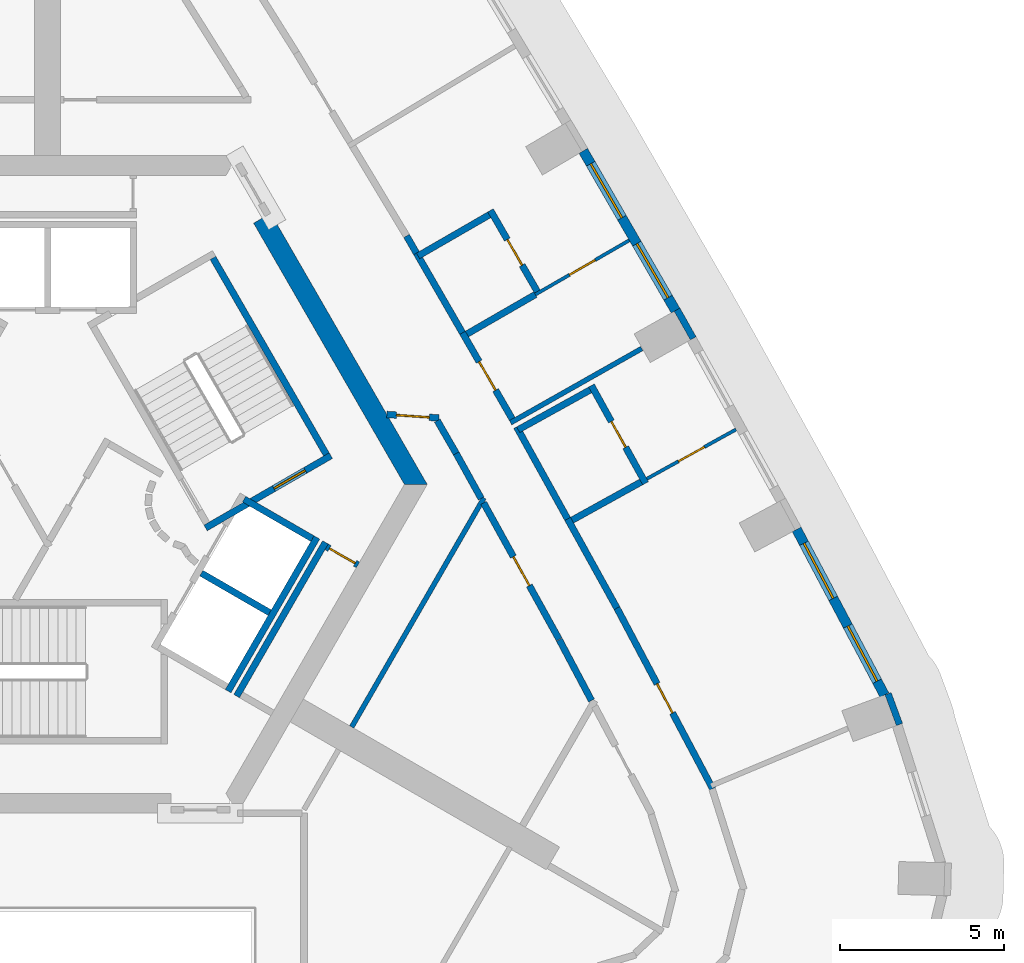
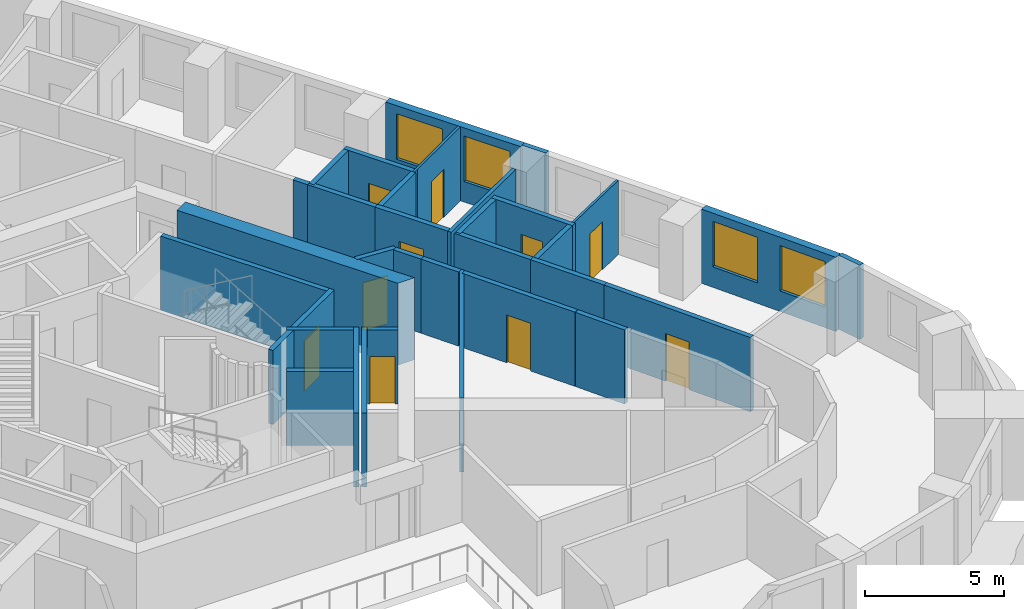
# One storey, part 7 of 13: 33 walls, 10 doors, 4 windows, 14 openings.
"""IFC4 building model written with IfcOpenShell, lengths in metres."""

from ifc_helpers import new_model, si_unit, direction, frame, frame_2d, origin, place, context, subcontext, project, spatial, polyline, rectangle, outline, extrude, material, layer, layer_set, type_object, element, fill, save


model = new_model("IFC4")

# Units and contexts
model_context = context("Model", 3, precision=1e-05, world=origin(), true_north=direction((0.0, 1.0)))
body_context = subcontext(model_context, "Body", "Model", "MODEL_VIEW")
ifc_project = project(units=[si_unit("LENGTHUNIT", "METRE"), si_unit("AREAUNIT", "SQUARE_METRE"), si_unit("VOLUMEUNIT", "CUBIC_METRE"), si_unit("PLANEANGLEUNIT", "RADIAN"), si_unit("MASSUNIT", "GRAM", prefix="KILO")], contexts=[model_context])

# Site, building, storey
site_placement = place(None, origin())
site = spatial("IfcSite", under=ifc_project, at=site_placement, CompositionType="ELEMENT")
building_placement = place(site_placement, origin())
building = spatial("IfcBuilding", under=site, at=building_placement, Name="Entoto Arch Interchange Tower", CompositionType="ELEMENT")
storey_placement = place(building_placement, frame((0.0, 0.0, 266.60009765625)))
storey = spatial("IfcBuildingStorey", under=building, at=storey_placement, Name="L61", CompositionType="ELEMENT", Elevation=266.60009765625)

# Walls
ifc_material_1 = material(Name="Concrete C40/50", Category="concrete")
ifc_layer_1 = layer(ifc_material_1, 0.60009765625)
ifc_layer_set_1 = layer_set([ifc_layer_1], Name="Concrete C40/50")
wall_type_1 = type_object("IfcWallType", Name="Core wall 600 C40/50", PredefinedType="SHEAR", material=ifc_layer_set_1)
wall_1_placement = place(storey_placement, frame((0.0, 0.0, -0.340087890625)))
element("IfcWall", 1, at=wall_1_placement, inside=storey, type_object=wall_type_1, Name="Core wall NE L61", PredefinedType="SHEAR", context=body_context, shape_type="SweptSolid", body=[
    extrude(outline(polyline([(6.785888671875, 10.7470703125), (6.26611328125, 10.447021484375), (10.85400390625, 2.5), (11.547119140625, 2.5), (6.785888671875, 10.7470703125)])), origin(), (0.0, 0.0, 1.0), 3.60009765625),
])
ifc_layer_2 = layer(ifc_material_1, 0.199951171875)
ifc_layer_set_2 = layer_set([ifc_layer_2], Name="Concrete C40/50")
wall_type_2 = type_object("IfcWallType", Name="LIFT SHAFT WALL 200", PredefinedType="STANDARD", material=ifc_layer_set_2)
wall_2_placement = place(storey_placement, frame((5.491943359375, -3.7880859375, 0.0), z_axis=(0.0, 0.0, 1.0), x_axis=(0.500034260056, 0.866005622828, 0.0)))
element("IfcWall", 2, at=wall_2_placement, inside=storey, type_object=wall_type_2, Name="Shaft wall SE1 back", PredefinedType="STANDARD", context=body_context, shape_type="SweptSolid", body=[
    extrude(rectangle(XDim=5.3994140625, YDim=0.199951171875, at=frame_2d((2.69970703125, 0.0))), origin(), (0.0, 0.0, 1.0), 3.260009765625),
])
for number, where, z_axis, x_axis, name in (
    (3, (4.677001953125, -0.199951171875, 0.0), (0.0, 0.0, 1.0), (0.865973769406, -0.500089422704, 0.0), "Shaft wall SE1 cross 2"),
    (4, (5.97705078125, 2.052001953125, 0.0), (0.0, 0.0, 1.0), (0.865973769406, -0.500089422704, 0.0), "Shaft wall SE1 cross 3"),
):
    element("IfcWall", number, at=place(storey_placement, frame(where, z_axis=z_axis, x_axis=x_axis)), inside=storey, type_object=wall_type_2, Name=name, PredefinedType="STANDARD", context=body_context, shape_type="SweptSolid", body=[
        extrude(rectangle(XDim=2.3994140625, YDim=0.199951171875, at=frame_2d((1.19970703125, 0.0))), origin(), (0.0, 0.0, 1.0), 3.260009765625),
    ])

# Wall, opening, door
ifc_material_2 = material(Name="Gypsum board partition on steel studs", Category="steel")
ifc_layer_3 = layer(ifc_material_2, 0.10009765625)
ifc_layer_set_3 = layer_set([ifc_layer_3], Name="Gypsum board partition on steel studs")
wall_type_3 = type_object("IfcWallType", Name="PARTITION 100", PredefinedType="PARTITIONING", material=ifc_layer_set_3)
wall_3_placement = place(storey_placement, frame((18.22802734375, 2.6708984375, 0.0), z_axis=(0.0, 0.0, 1.0), x_axis=(0.874895591854, 0.484311576729, 0.0)))
wall_3 = element("IfcWall", 5, at=wall_3_placement, inside=storey, type_object=wall_type_3, Name="wall:L61:p113", PredefinedType="PARTITIONING", context=body_context, shape_type="SweptSolid", body=[
    extrude(rectangle(XDim=3.099609375, YDim=0.10009765625, at=frame_2d((1.5498046875, 0.0))), origin(), (0.0, 0.0, 1.0), 3.260009765625),
])
opening_1_placement = place(wall_3_placement, frame((1.10009765625, 0.0, 0.0)))
opening_1 = element("IfcOpeningElement", 6, at=opening_1_placement, cuts=wall_3, Name="Opening L61-D02", PredefinedType="OPENING", context=body_context, shape_type="SweptSolid", body=[
    extrude(rectangle(XDim=0.89990234375, YDim=2.10009765625, at=frame_2d((0.449951171875, 1.050048828125))), frame((0.0, 0.06005859375, 0.0), z_axis=(0.0, -1.0, 0.0), x_axis=(1.0, 0.0, 0.0)), (0.0, 0.0, 1.0), 0.1201171875),
])
ifc_material_3 = material(Name="Timber door leaf in Steel S235 frame", Category="steel")
door_type_1 = type_object("IfcDoorType", Name="DOOR DS-09 900x2100", OperationType="SINGLE_SWING_LEFT", PredefinedType="DOOR", material=ifc_material_3)
door_1_placement = place(opening_1_placement, origin())
door_1 = element("IfcDoor", 7, at=door_1_placement, inside=storey, type_object=door_type_1, Name="door:L61:02", OperationType="SINGLE_SWING_RIGHT", OverallHeight=2.10009765625, OverallWidth=0.89990234375, PredefinedType="DOOR", context=body_context, shape_type="SweptSolid", body=[
    extrude(rectangle(XDim=0.89990234375, YDim=2.10009765625, at=frame_2d((0.449951171875, 1.050048828125))), frame((0.0, 0.02490234375, 0.0), z_axis=(0.0, -1.0, 0.0), x_axis=(1.0, 0.0, 0.0)), (0.0, 0.0, 1.0), 0.050048828125),
])
fill(opening_1, door_1)

wall_4_placement = place(storey_placement, frame((14.8349609375, 8.27490234375, 0.0), z_axis=(0.0, 0.0, 1.0), x_axis=(0.8660266723, 0.49999780286, 0.0)))
wall_4 = element("IfcWall", 8, at=wall_4_placement, inside=storey, type_object=wall_type_3, Name="wall:L61:p118", PredefinedType="PARTITIONING", context=body_context, shape_type="SweptSolid", body=[
    extrude(rectangle(XDim=3.30029296875, YDim=0.10009765625, at=frame_2d((1.650146484375, 0.0))), origin(), (0.0, 0.0, 1.0), 3.260009765625),
])
opening_2_placement = place(wall_4_placement, frame((1.199951171875, 0.0, 0.0)))
opening_2 = element("IfcOpeningElement", 9, at=opening_2_placement, cuts=wall_4, Name="Opening L61-D05", PredefinedType="OPENING", context=body_context, shape_type="SweptSolid", body=[
    extrude(rectangle(XDim=0.89990234375, YDim=2.10009765625, at=frame_2d((0.449951171875, 1.050048828125))), frame((0.0, 0.06005859375, 0.0), z_axis=(0.0, -1.0, 0.0), x_axis=(1.0, 0.0, 0.0)), (0.0, 0.0, 1.0), 0.1201171875),
])
door_2_placement = place(opening_2_placement, origin())
door_2 = element("IfcDoor", 10, at=door_2_placement, inside=storey, type_object=door_type_1, Name="door:L61:05", OperationType="SINGLE_SWING_RIGHT", OverallHeight=2.10009765625, OverallWidth=0.89990234375, PredefinedType="DOOR", context=body_context, shape_type="SweptSolid", body=[
    extrude(rectangle(XDim=0.89990234375, YDim=2.10009765625, at=frame_2d((0.449951171875, 1.050048828125))), frame((0.0, 0.02490234375, 0.0), z_axis=(0.0, -1.0, 0.0), x_axis=(1.0, 0.0, 0.0)), (0.0, 0.0, 1.0), 0.050048828125),
])
fill(opening_2, door_2)

# Walls
ifc_layer_4 = layer(ifc_material_2, 0.14990234375)
ifc_layer_set_4 = layer_set([ifc_layer_4], Name="Gypsum board partition on steel studs")
wall_type_4 = type_object("IfcWallType", Name="PARTITION 150", PredefinedType="PARTITIONING", material=ifc_layer_set_4)
wall_5_placement = place(storey_placement, frame((14.0830078125, 4.376953125, 0.0), z_axis=(0.0, 0.0, 1.0), x_axis=(0.870415885751, 0.492317159799, 0.0)))
element("IfcWall", 11, at=wall_5_placement, inside=storey, type_object=wall_type_4, Name="wall:L61:p117", PredefinedType="PARTITIONING", context=body_context, shape_type="SweptSolid", body=[
    extrude(rectangle(XDim=4.58056640625, YDim=0.14990234375, at=frame_2d((2.290283203125, 0.0))), origin(), (0.0, 0.0, 1.0), 3.260009765625),
])
wall_6_placement = place(storey_placement, frame((9.25, -4.8779296875, 0.0), z_axis=(0.0, 0.0, 1.0), x_axis=(0.499982416899, 0.866035555154, 0.0)))
element("IfcWall", 12, at=wall_6_placement, inside=storey, type_object=wall_type_4, Name="wall:L61:p085", PredefinedType="PARTITIONING", context=body_context, shape_type="SweptSolid", body=[
    extrude(rectangle(XDim=8.048095703125, YDim=0.14990234375, at=frame_2d((4.02392578125, 0.0))), origin(), (0.0, 0.0, 1.0), 3.260009765625),
])
ifc_layer_5 = layer(ifc_material_2, 0.199951171875)
ifc_layer_set_5 = layer_set([ifc_layer_5], Name="Gypsum board partition on steel studs")
wall_type_5 = type_object("IfcWallType", Name="PARTITION 200", PredefinedType="PARTITIONING", material=ifc_layer_set_5)
wall_7_placement = place(storey_placement, frame((13.18798828125, 2.071044921875, 0.0), z_axis=(0.0, 0.0, 1.0), x_axis=(-0.484398936474, 0.874847226859, 0.0)))
element("IfcWall", 13, at=wall_7_placement, inside=storey, type_object=wall_type_5, Name="wall:L61:p006", PredefinedType="PARTITIONING", context=body_context, shape_type="SweptSolid", body=[
    extrude(rectangle(XDim=1.56689453125, YDim=0.199951171875, at=frame_2d((0.783447265625, 0.0))), origin(), (0.0, 0.0, 1.0), 3.260009765625),
])
wall_8_placement = place(storey_placement, frame((12.428955078125, 3.44189453125, 0.0), z_axis=(0.0, 0.0, 1.0), x_axis=(-0.500076612374, 0.865981167091, 0.0)))
element("IfcWall", 14, at=wall_8_placement, inside=storey, type_object=wall_type_5, Name="wall:L61:p007", PredefinedType="PARTITIONING", context=body_context, shape_type="SweptSolid", body=[
    extrude(rectangle(XDim=1.153564453125, YDim=0.199951171875, at=frame_2d((0.57666015625, 0.0))), origin(), (0.0, 0.0, 1.0), 3.260009765625),
])

# Wall, opening, door
wall_9_placement = place(storey_placement, frame((11.902099609375, 4.52099609375, 0.0), z_axis=(0.0, 0.0, 1.0), x_axis=(-0.997726217037, 0.067397298437, 0.0)))
wall_9 = element("IfcWall", 15, at=wall_9_placement, inside=storey, type_object=wall_type_5, Name="wall:L61:p008", PredefinedType="PARTITIONING", context=body_context, shape_type="SweptSolid", body=[
    extrude(rectangle(XDim=1.586669921875, YDim=0.199951171875, at=frame_2d((0.79345703125, 0.0))), origin(), (0.0, 0.0, 1.0), 3.260009765625),
])
opening_3_placement = place(wall_9_placement, frame((0.29296875, 0.0, 0.0)))
opening_3 = element("IfcOpeningElement", 16, at=opening_3_placement, cuts=wall_9, Name="Opening L61-D34", PredefinedType="OPENING", context=body_context, shape_type="SweptSolid", body=[
    extrude(rectangle(XDim=1.0, YDim=2.10009765625, at=frame_2d((0.5, 1.050048828125))), frame((0.0, 0.10986328125, 0.0), z_axis=(0.0, -1.0, 0.0), x_axis=(1.0, 0.0, 0.0)), (0.0, 0.0, 1.0), 0.219970703125),
])
door_type_2 = type_object("IfcDoorType", Name="DOOR DS-10 1000x2100", OperationType="SINGLE_SWING_LEFT", PredefinedType="DOOR", material=ifc_material_3)
door_3_placement = place(opening_3_placement, origin())
door_3 = element("IfcDoor", 17, at=door_3_placement, inside=storey, type_object=door_type_2, Name="door:L61:34", OperationType="SINGLE_SWING_LEFT", OverallHeight=2.10009765625, OverallWidth=1.0, PredefinedType="DOOR", context=body_context, shape_type="SweptSolid", body=[
    extrude(rectangle(XDim=1.0, YDim=2.10009765625, at=frame_2d((0.5, 1.050048828125))), frame((0.0, 0.02490234375, 0.0), z_axis=(0.0, -1.0, 0.0), x_axis=(1.0, 0.0, 0.0)), (0.0, 0.0, 1.0), 0.050048828125),
])
fill(opening_3, door_3)

# Wall
wall_10_placement = place(storey_placement, frame((16.544921875, -4.073974609375, 0.0), z_axis=(0.0, 0.0, 1.0), x_axis=(-0.468321873419, 0.883557934081, 0.0)))
element("IfcWall", 18, at=wall_10_placement, inside=storey, type_object=wall_type_5, Name="wall:L61:p021", PredefinedType="PARTITIONING", context=body_context, shape_type="SweptSolid", body=[
    extrude(rectangle(XDim=2.092529296875, YDim=0.199951171875, at=frame_2d((1.04638671875, 0.0))), origin(), (0.0, 0.0, 1.0), 3.260009765625),
])

# Wall, opening, door
wall_11_placement = place(storey_placement, frame((15.56005859375, -2.214111328125, 0.0), z_axis=(0.0, 0.0, 1.0), x_axis=(-0.484323615817, 0.874888927329, 0.0)))
wall_11 = element("IfcWall", 19, at=wall_11_placement, inside=storey, type_object=wall_type_5, Name="wall:L61:p022", PredefinedType="PARTITIONING", context=body_context, shape_type="SweptSolid", body=[
    extrude(rectangle(XDim=4.7470703125, YDim=0.199951171875, at=frame_2d((2.37353515625, 0.0))), origin(), (0.0, 0.0, 1.0), 3.260009765625),
])
opening_4_placement = place(wall_11_placement, frame((1.8740234375, 0.0, 0.0)))
opening_4 = element("IfcOpeningElement", 20, at=opening_4_placement, cuts=wall_11, Name="Opening L61-D24", PredefinedType="OPENING", context=body_context, shape_type="SweptSolid", body=[
    extrude(rectangle(XDim=1.0, YDim=2.10009765625, at=frame_2d((0.5, 1.050048828125))), frame((0.0, 0.10986328125, 0.0), z_axis=(0.0, -1.0, 0.0), x_axis=(1.0, 0.0, 0.0)), (0.0, 0.0, 1.0), 0.219970703125),
])
door_4_placement = place(opening_4_placement, origin())
door_4 = element("IfcDoor", 21, at=door_4_placement, inside=storey, type_object=door_type_2, Name="door:L61:24", OperationType="SINGLE_SWING_LEFT", OverallHeight=2.10009765625, OverallWidth=1.0, PredefinedType="DOOR", context=body_context, shape_type="SweptSolid", body=[
    extrude(rectangle(XDim=1.0, YDim=2.10009765625, at=frame_2d((0.5, 1.050048828125))), frame((0.0, 0.02490234375, 0.0), z_axis=(0.0, -1.0, 0.0), x_axis=(1.0, 0.0, 0.0)), (0.0, 0.0, 1.0), 0.050048828125),
])
fill(opening_4, door_4)

# Wall
wall_12_placement = place(storey_placement, frame((15.81689453125, 1.450927734375, 0.0), z_axis=(0.0, 0.0, 1.0), x_axis=(0.48417811398, -0.874969458863, 0.0)))
element("IfcWall", 22, at=wall_12_placement, inside=storey, type_object=wall_type_5, Name="wall:L61:p043", PredefinedType="PARTITIONING", context=body_context, shape_type="SweptSolid", body=[
    extrude(rectangle(XDim=3.1005859375, YDim=0.199951171875, at=frame_2d((1.55029296875, 0.0))), origin(), (0.0, 0.0, 1.0), 3.260009765625),
])

# Wall, opening, door
wall_13_placement = place(storey_placement, frame((17.318115234375, -1.261962890625, 0.0), z_axis=(0.0, 0.0, 1.0), x_axis=(0.468313568794, -0.883562335822, 0.0)))
wall_13 = element("IfcWall", 23, at=wall_13_placement, inside=storey, type_object=wall_type_5, Name="wall:L61:p044", PredefinedType="PARTITIONING", context=body_context, shape_type="SweptSolid", body=[
    extrude(rectangle(XDim=6.215576171875, YDim=0.199951171875, at=frame_2d((3.10791015625, 0.0))), origin(), (0.0, 0.0, 1.0), 3.260009765625),
])
opening_5_placement = place(wall_13_placement, frame((2.60791015625, 0.0, 0.0)))
opening_5 = element("IfcOpeningElement", 24, at=opening_5_placement, cuts=wall_13, Name="Opening L61-D01", PredefinedType="OPENING", context=body_context, shape_type="SweptSolid", body=[
    extrude(rectangle(XDim=1.0, YDim=2.10009765625, at=frame_2d((0.5, 1.050048828125))), frame((0.0, 0.10986328125, 0.0), z_axis=(0.0, -1.0, 0.0), x_axis=(1.0, 0.0, 0.0)), (0.0, 0.0, 1.0), 0.219970703125),
])
ifc_material_4 = material(Name="Fire-rated Steel S235 door and frame", Category="steel")
door_type_3 = type_object("IfcDoorType", Name="DOOR FD-10 1000x2100", OperationType="SINGLE_SWING_LEFT", PredefinedType="DOOR", material=ifc_material_4)
door_5_placement = place(opening_5_placement, origin())
door_5 = element("IfcDoor", 25, at=door_5_placement, inside=storey, type_object=door_type_3, Name="door:L61:01", OperationType="SINGLE_SWING_LEFT", OverallHeight=2.10009765625, OverallWidth=1.0, PredefinedType="DOOR", context=body_context, shape_type="SweptSolid", body=[
    extrude(rectangle(XDim=1.0, YDim=2.10009765625, at=frame_2d((0.5, 1.050048828125))), frame((0.0, 0.02490234375, 0.0), z_axis=(0.0, -1.0, 0.0), x_axis=(1.0, 0.0, 0.0)), (0.0, 0.0, 1.0), 0.050048828125),
])
fill(opening_5, door_5)

# Wall
wall_14_placement = place(storey_placement, frame((14.26708984375, 4.25, 0.0), z_axis=(0.0, 0.0, 1.0), x_axis=(0.4843920198, -0.874851056554, 0.0)))
element("IfcWall", 26, at=wall_14_placement, inside=storey, type_object=wall_type_5, Name="wall:L61:p045", PredefinedType="PARTITIONING", context=body_context, shape_type="SweptSolid", body=[
    extrude(rectangle(XDim=3.199462890625, YDim=0.199951171875, at=frame_2d((1.599609375, 0.0))), origin(), (0.0, 0.0, 1.0), 3.260009765625),
])

# Wall, opening, door
wall_15_placement = place(storey_placement, frame((12.6201171875, 7.111083984375, 0.0), z_axis=(0.0, 0.0, 1.0), x_axis=(0.499950733426, -0.866053845986, 0.0)))
wall_15 = element("IfcWall", 27, at=wall_15_placement, inside=storey, type_object=wall_type_5, Name="wall:L61:p046", PredefinedType="PARTITIONING", context=body_context, shape_type="SweptSolid", body=[
    extrude(rectangle(XDim=3.024169921875, YDim=0.199951171875, at=frame_2d((1.51220703125, 0.0))), origin(), (0.0, 0.0, 1.0), 3.260009765625),
])
opening_6_placement = place(wall_15_placement, frame((1.012939453125, 0.0, 0.0)))
opening_6 = element("IfcOpeningElement", 28, at=opening_6_placement, cuts=wall_15, Name="Opening L61-D04", PredefinedType="OPENING", context=body_context, shape_type="SweptSolid", body=[
    extrude(rectangle(XDim=1.0, YDim=2.10009765625, at=frame_2d((0.5, 1.050048828125))), frame((0.0, 0.10986328125, 0.0), z_axis=(0.0, -1.0, 0.0), x_axis=(1.0, 0.0, 0.0)), (0.0, 0.0, 1.0), 0.219970703125),
])
door_6_placement = place(opening_6_placement, origin())
door_6 = element("IfcDoor", 29, at=door_6_placement, inside=storey, type_object=door_type_3, Name="door:L61:04", OperationType="SINGLE_SWING_LEFT", OverallHeight=2.10009765625, OverallWidth=1.0, PredefinedType="DOOR", context=body_context, shape_type="SweptSolid", body=[
    extrude(rectangle(XDim=1.0, YDim=2.10009765625, at=frame_2d((0.5, 1.050048828125))), frame((0.0, 0.02490234375, 0.0), z_axis=(0.0, -1.0, 0.0), x_axis=(1.0, 0.0, 0.0)), (0.0, 0.0, 1.0), 0.050048828125),
])
fill(opening_6, door_6)

# Walls
wall_16_placement = place(storey_placement, frame((10.9189453125, 10.056884765625, 0.0), z_axis=(0.0, 0.0, 1.0), x_axis=(0.500284357783, -0.865861167485, 0.0)))
element("IfcWall", 30, at=wall_16_placement, inside=storey, type_object=wall_type_5, Name="wall:L61:p048", PredefinedType="PARTITIONING", context=body_context, shape_type="SweptSolid", body=[
    extrude(rectangle(XDim=0.601806640625, YDim=0.199951171875, at=frame_2d((0.30078125, 0.0))), origin(), (0.0, 0.0, 1.0), 3.260009765625),
])
wall_17_placement = place(storey_placement, frame((11.219970703125, 9.535888671875, 0.0), z_axis=(0.0, 0.0, 1.0), x_axis=(0.500049511043, -0.865996816683, 0.0)))
element("IfcWall", 31, at=wall_17_placement, inside=storey, type_object=wall_type_5, Name="wall:L61:p049", PredefinedType="PARTITIONING", context=body_context, shape_type="SweptSolid", body=[
    extrude(rectangle(XDim=2.800048828125, YDim=0.199951171875, at=frame_2d((1.39990234375, 0.0))), origin(), (0.0, 0.0, 1.0), 3.260009765625),
])
wall_18_placement = place(storey_placement, frame((5.7509765625, -3.93798828125, 0.0), z_axis=(0.0, 0.0, 1.0), x_axis=(0.500034260056, 0.866005622828, 0.0)))
element("IfcWall", 32, at=wall_18_placement, inside=storey, type_object=wall_type_5, Name="wall:L61:p075", PredefinedType="PARTITIONING", context=body_context, shape_type="SweptSolid", body=[
    extrude(rectangle(XDim=5.3994140625, YDim=0.199951171875, at=frame_2d((2.69970703125, 0.0))), origin(), (0.0, 0.0, 1.0), 3.260009765625),
])

# Wall, opening, door
wall_19_placement = place(storey_placement, frame((8.488037109375, 0.60205078125, 0.0), z_axis=(0.0, 0.0, 1.0), x_axis=(0.866063652425, -0.499933745558, 0.0)))
wall_19 = element("IfcWall", 33, at=wall_19_placement, inside=storey, type_object=wall_type_5, Name="wall:L61:p076", PredefinedType="PARTITIONING", context=body_context, shape_type="SweptSolid", body=[
    extrude(rectangle(XDim=1.100341796875, YDim=0.199951171875, at=frame_2d((0.55029296875, 0.0))), origin(), (0.0, 0.0, 1.0), 3.260009765625),
])
opening_7_placement = place(wall_19_placement, frame((0.10009765625, 0.0, 0.0)))
opening_7 = element("IfcOpeningElement", 34, at=opening_7_placement, cuts=wall_19, Name="Opening L61-D38", PredefinedType="OPENING", context=body_context, shape_type="SweptSolid", body=[
    extrude(rectangle(XDim=0.89990234375, YDim=2.10009765625, at=frame_2d((0.449951171875, 1.050048828125))), frame((0.0, 0.10986328125, 0.0), z_axis=(0.0, -1.0, 0.0), x_axis=(1.0, 0.0, 0.0)), (0.0, 0.0, 1.0), 0.219970703125),
])
door_7_placement = place(opening_7_placement, origin())
door_7 = element("IfcDoor", 35, at=door_7_placement, inside=storey, type_object=door_type_1, Name="door:L61:38", OperationType="SINGLE_SWING_RIGHT", OverallHeight=2.10009765625, OverallWidth=0.89990234375, PredefinedType="DOOR", context=body_context, shape_type="SweptSolid", body=[
    extrude(rectangle(XDim=0.89990234375, YDim=2.10009765625, at=frame_2d((0.449951171875, 1.050048828125))), frame((0.0, 0.02490234375, 0.0), z_axis=(0.0, -1.0, 0.0), x_axis=(1.0, 0.0, 0.0)), (0.0, 0.0, 1.0), 0.050048828125),
])
fill(opening_7, door_7)

# Wall
wall_20_placement = place(storey_placement, frame((15.952880859375, 1.412109375, 0.0), z_axis=(0.0, 0.0, 1.0), x_axis=(0.875014790305, 0.484096185429, 0.0)))
element("IfcWall", 36, at=wall_20_placement, inside=storey, type_object=wall_type_5, Name="wall:L61:p114", PredefinedType="PARTITIONING", context=body_context, shape_type="SweptSolid", body=[
    extrude(rectangle(XDim=2.400146484375, YDim=0.199951171875, at=frame_2d((1.2001953125, 0.0))), origin(), (0.0, 0.0, 1.0), 3.260009765625),
])

# Wall, opening, door
wall_21_placement = place(storey_placement, frame((18.18896484375, 2.534912109375, 0.0), z_axis=(0.0, 0.0, 1.0), x_axis=(-0.484447408253, 0.874820386501, 0.0)))
wall_21 = element("IfcWall", 37, at=wall_21_placement, inside=storey, type_object=wall_type_5, Name="wall:L61:p115", PredefinedType="PARTITIONING", context=body_context, shape_type="SweptSolid", body=[
    extrude(rectangle(XDim=3.399658203125, YDim=0.199951171875, at=frame_2d((1.69970703125, 0.0))), origin(), (0.0, 0.0, 1.0), 3.260009765625),
])
opening_8_placement = place(wall_21_placement, frame((1.25, 0.0, 0.0)))
opening_8 = element("IfcOpeningElement", 38, at=opening_8_placement, cuts=wall_21, Name="Opening L61-D03", PredefinedType="OPENING", context=body_context, shape_type="SweptSolid", body=[
    extrude(rectangle(XDim=0.89990234375, YDim=2.10009765625, at=frame_2d((0.449951171875, 1.050048828125))), frame((0.0, 0.10986328125, 0.0), z_axis=(0.0, -1.0, 0.0), x_axis=(1.0, 0.0, 0.0)), (0.0, 0.0, 1.0), 0.219970703125),
])
door_8_placement = place(opening_8_placement, origin())
door_8 = element("IfcDoor", 39, at=door_8_placement, inside=storey, type_object=door_type_1, Name="door:L61:03", OperationType="SINGLE_SWING_LEFT", OverallHeight=2.10009765625, OverallWidth=0.89990234375, PredefinedType="DOOR", context=body_context, shape_type="SweptSolid", body=[
    extrude(rectangle(XDim=0.89990234375, YDim=2.10009765625, at=frame_2d((0.449951171875, 1.050048828125))), frame((0.0, 0.02490234375, 0.0), z_axis=(0.0, -1.0, 0.0), x_axis=(1.0, 0.0, 0.0)), (0.0, 0.0, 1.0), 0.050048828125),
])
fill(opening_8, door_8)

# Walls
wall_22_placement = place(storey_placement, frame((16.5029296875, 5.3740234375, 0.0), z_axis=(0.0, 0.0, 1.0), x_axis=(-0.874847389013, -0.484398643615, 0.0)))
element("IfcWall", 40, at=wall_22_placement, inside=storey, type_object=wall_type_5, Name="wall:L61:p116", PredefinedType="PARTITIONING", context=body_context, shape_type="SweptSolid", body=[
    extrude(rectangle(XDim=2.5, YDim=0.199951171875, at=frame_2d((1.25, 0.0))), origin(), (0.0, 0.0, 1.0), 3.260009765625),
])
wall_23_placement = place(storey_placement, frame((12.756103515625, 7.074951171875, 0.0), z_axis=(0.0, 0.0, 1.0), x_axis=(0.866075499611, 0.499913221443, 0.0)))
element("IfcWall", 41, at=wall_23_placement, inside=storey, type_object=wall_type_5, Name="wall:L61:p119", PredefinedType="PARTITIONING", context=body_context, shape_type="SweptSolid", body=[
    extrude(rectangle(XDim=2.400390625, YDim=0.199951171875, at=frame_2d((1.2001953125, 0.0))), origin(), (0.0, 0.0, 1.0), 3.260009765625),
])

# Wall, opening, door
wall_24_placement = place(storey_placement, frame((14.946044921875, 8.281005859375, 0.0), z_axis=(0.0, 0.0, 1.0), x_axis=(-0.500001826776, 0.866024349092, 0.0)))
wall_24 = element("IfcWall", 42, at=wall_24_placement, inside=storey, type_object=wall_type_5, Name="wall:L61:p120", PredefinedType="PARTITIONING", context=body_context, shape_type="SweptSolid", body=[
    extrude(rectangle(XDim=2.9501953125, YDim=0.199951171875, at=frame_2d((1.47509765625, 0.0))), origin(), (0.0, 0.0, 1.0), 3.260009765625),
])
opening_9_placement = place(wall_24_placement, frame((1.02490234375, 0.0, 0.0)))
opening_9 = element("IfcOpeningElement", 43, at=opening_9_placement, cuts=wall_24, Name="Opening L61-D06", PredefinedType="OPENING", context=body_context, shape_type="SweptSolid", body=[
    extrude(rectangle(XDim=0.89990234375, YDim=2.10009765625, at=frame_2d((0.449951171875, 1.050048828125))), frame((0.0, 0.10986328125, 0.0), z_axis=(0.0, -1.0, 0.0), x_axis=(1.0, 0.0, 0.0)), (0.0, 0.0, 1.0), 0.219970703125),
])
door_9_placement = place(opening_9_placement, origin())
door_9 = element("IfcDoor", 44, at=door_9_placement, inside=storey, type_object=door_type_1, Name="door:L61:06", OperationType="SINGLE_SWING_LEFT", OverallHeight=2.10009765625, OverallWidth=0.89990234375, PredefinedType="DOOR", context=body_context, shape_type="SweptSolid", body=[
    extrude(rectangle(XDim=0.89990234375, YDim=2.10009765625, at=frame_2d((0.449951171875, 1.050048828125))), frame((0.0, 0.02490234375, 0.0), z_axis=(0.0, -1.0, 0.0), x_axis=(1.0, 0.0, 0.0)), (0.0, 0.0, 1.0), 0.050048828125),
])
fill(opening_9, door_9)

# Wall
wall_25_placement = place(storey_placement, frame((13.43505859375, 10.699951171875, 0.0), z_axis=(0.0, 0.0, 1.0), x_axis=(-0.866022959057, -0.500004234368, 0.0)))
element("IfcWall", 45, at=wall_25_placement, inside=storey, type_object=wall_type_5, Name="wall:L61:p121", PredefinedType="PARTITIONING", context=body_context, shape_type="SweptSolid", body=[
    extrude(rectangle(XDim=2.5, YDim=0.199951171875, at=frame_2d((1.25, 0.0))), origin(), (0.0, 0.0, 1.0), 3.260009765625),
])

# Wall, opening, door
ifc_layer_6 = layer(ifc_material_1, 0.199951171875)
ifc_layer_set_6 = layer_set([ifc_layer_6], Name="Concrete C40/50")
wall_type_6 = type_object("IfcWallType", Name="STAIR ENCLOSURE WALL 200", PredefinedType="STANDARD", material=ifc_layer_set_6)
wall_26_placement = place(storey_placement, frame((4.805908203125, 1.176025390625, 0.0), z_axis=(0.0, 0.0, 1.0), x_axis=(0.866059941101, 0.499940174841, 0.0)))
wall_26 = element("IfcWall", 46, at=wall_26_placement, inside=storey, type_object=wall_type_6, Name="Stair wall ST-NE near", PredefinedType="STANDARD", context=body_context, shape_type="SweptSolid", body=[
    extrude(rectangle(XDim=4.400390625, YDim=0.199951171875, at=frame_2d((2.2001953125, 0.0))), origin(), (0.0, 0.0, 1.0), 3.260009765625),
])
opening_10_placement = place(wall_26_placement, frame((2.39990234375, 0.0, 0.0)))
opening_10 = element("IfcOpeningElement", 47, at=opening_10_placement, cuts=wall_26, Name="Opening SD-ST-NE-L61-E", PredefinedType="OPENING", context=body_context, shape_type="SweptSolid", body=[
    extrude(rectangle(XDim=1.10009765625, YDim=2.199951171875, at=frame_2d((0.550048828125, 1.10009765625))), frame((0.0, 0.10986328125, 0.0), z_axis=(0.0, -1.0, 0.0), x_axis=(1.0, 0.0, 0.0)), (0.0, 0.0, 1.0), 0.219970703125),
])
ifc_material_5 = material(Name="Steel S235", Category="steel")
door_type_4 = type_object("IfcDoorType", Name="STAIR DOOR SD1 1100x2200", OperationType="SINGLE_SWING_LEFT", PredefinedType="DOOR", material=ifc_material_5)
door_10_placement = place(opening_10_placement, origin())
door_10 = element("IfcDoor", 48, at=door_10_placement, inside=storey, type_object=door_type_4, Name="Stair door ST-NE L61 end", OperationType="SINGLE_SWING_LEFT", OverallHeight=2.199951171875, OverallWidth=1.10009765625, PredefinedType="DOOR", context=body_context, shape_type="SweptSolid", body=[
    extrude(rectangle(XDim=1.10009765625, YDim=2.199951171875, at=frame_2d((0.550048828125, 1.10009765625))), frame((0.0, 0.02490234375, 0.0), z_axis=(0.0, -1.0, 0.0), x_axis=(1.0, 0.0, 0.0)), (0.0, 0.0, 1.0), 0.050048828125),
])
fill(opening_10, door_10)

# Wall
wall_27_placement = place(storey_placement, frame((8.47998046875, 3.412109375, 0.0), z_axis=(0.0, 0.0, 1.0), x_axis=(-0.499978703459, 0.866037698999, 0.0)))
element("IfcWall", 49, at=wall_27_placement, inside=storey, type_object=wall_type_6, Name="Stair wall ST-NE back", PredefinedType="STANDARD", context=body_context, shape_type="SweptSolid", body=[
    extrude(rectangle(XDim=6.900146484375, YDim=0.199951171875, at=frame_2d((3.4501953125, 0.0))), origin(), (0.0, 0.0, 1.0), 3.260009765625),
])

# Wall, openings, windows
ifc_material_6 = material(Name="Welded tuff (ignimbrite) cladding, warm buff", Category="masonry")
ifc_layer_7 = layer(ifc_material_6, 0.300048828125)
ifc_layer_set_7 = layer_set([ifc_layer_7], Name="Welded tuff (ignimbrite) cladding, warm buff")
wall_type_7 = type_object("IfcWallType", Name="STONE INFILL WALL 300", PredefinedType="STANDARD", material=ifc_layer_set_7)
wall_28_placement = place(storey_placement, frame((25.4541015625, -3.906982421875, 0.0), z_axis=(0.0, 0.0, 1.0), x_axis=(-0.468220106253, 0.883611867338, 0.0)))
wall_28 = element("IfcWall", 50, at=wall_28_placement, inside=storey, type_object=wall_type_7, Name="Facade wall NE-01 L61", PredefinedType="STANDARD", context=body_context, shape_type="SweptSolid", body=[
    extrude(rectangle(XDim=5.702880859375, YDim=0.300048828125, at=frame_2d((2.8515625, 0.0))), origin(), (0.0, 0.0, 1.0), 3.260009765625),
])
opening_11_placement = place(wall_28_placement, frame((0.47607421875, 0.0, 0.89990234375)))
opening_11 = element("IfcOpeningElement", 51, at=opening_11_placement, cuts=wall_28, Name="Opening WH-C", PredefinedType="OPENING", context=body_context, shape_type="SweptSolid", body=[
    extrude(rectangle(XDim=1.89990234375, YDim=2.0, at=frame_2d((0.949951171875, 1.0))), frame((0.0, 0.16015625, 0.0), z_axis=(0.0, -1.0, 0.0), x_axis=(1.0, 0.0, 0.0)), (0.0, 0.0, 1.0), 0.320068359375),
])
opening_12_placement = place(wall_28_placement, frame((3.326904296875, 0.0, 0.89990234375)))
opening_12 = element("IfcOpeningElement", 52, at=opening_12_placement, cuts=wall_28, Name="Opening WH-C", PredefinedType="OPENING", context=body_context, shape_type="SweptSolid", body=[
    extrude(rectangle(XDim=1.89990234375, YDim=2.0, at=frame_2d((0.949951171875, 1.0))), frame((0.0, 0.16015625, 0.0), z_axis=(0.0, -1.0, 0.0), x_axis=(1.0, 0.0, 0.0)), (0.0, 0.0, 1.0), 0.320068359375),
])
ifc_material_7 = material(Name="Clear glass, low-e double glazed", Category="glass")
window_type = type_object("IfcWindowType", Name="WINDOW WH-C 1900x2000", PartitioningType="DOUBLE_PANEL_VERTICAL", PredefinedType="WINDOW", material=ifc_material_7)
window_1_placement = place(opening_11_placement, origin())
window_1 = element("IfcWindow", 53, at=window_1_placement, inside=storey, type_object=window_type, Name="Window WH-C NE-01 L61", OverallHeight=2.0, OverallWidth=1.89990234375, PartitioningType="SINGLE_PANEL", PredefinedType="WINDOW", context=body_context, shape_type="SweptSolid", body=[
    extrude(rectangle(XDim=1.89990234375, YDim=2.0, at=frame_2d((0.949951171875, 1.0))), frame((0.0, 0.030029296875, 0.0), z_axis=(0.0, -1.0, 0.0), x_axis=(1.0, 0.0, 0.0)), (0.0, 0.0, 1.0), 0.06005859375),
])
fill(opening_11, window_1)
window_2_placement = place(opening_12_placement, origin())
window_2 = element("IfcWindow", 54, at=window_2_placement, inside=storey, type_object=window_type, Name="Window WH-C NE-01 L61", OverallHeight=2.0, OverallWidth=1.89990234375, PartitioningType="SINGLE_PANEL", PredefinedType="WINDOW", context=body_context, shape_type="SweptSolid", body=[
    extrude(rectangle(XDim=1.89990234375, YDim=2.0, at=frame_2d((0.949951171875, 1.0))), frame((0.0, 0.030029296875, 0.0), z_axis=(0.0, -1.0, 0.0), x_axis=(1.0, 0.0, 0.0)), (0.0, 0.0, 1.0), 0.06005859375),
])
fill(opening_12, window_2)

wall_29_placement = place(storey_placement, frame((19.10009765625, 7.787109375, 0.0), z_axis=(0.0, 0.0, 1.0), x_axis=(-0.500041292042, 0.866001562501, 0.0)))
wall_29 = element("IfcWall", 55, at=wall_29_placement, inside=storey, type_object=wall_type_7, Name="Facade wall NE-03 L61", PredefinedType="STANDARD", context=body_context, shape_type="SweptSolid", body=[
    extrude(rectangle(XDim=5.61181640625, YDim=0.300048828125, at=frame_2d((2.805908203125, 0.0))), origin(), (0.0, 0.0, 1.0), 3.260009765625),
])
opening_13_placement = place(wall_29_placement, frame((0.452880859375, 0.0, 0.89990234375)))
opening_13 = element("IfcOpeningElement", 56, at=opening_13_placement, cuts=wall_29, Name="Opening WH-C", PredefinedType="OPENING", context=body_context, shape_type="SweptSolid", body=[
    extrude(rectangle(XDim=1.89990234375, YDim=2.0, at=frame_2d((0.949951171875, 1.0))), frame((0.0, 0.16015625, 0.0), z_axis=(0.0, -1.0, 0.0), x_axis=(1.0, 0.0, 0.0)), (0.0, 0.0, 1.0), 0.320068359375),
])
opening_14_placement = place(wall_29_placement, frame((3.259033203125, 0.0, 0.89990234375)))
opening_14 = element("IfcOpeningElement", 57, at=opening_14_placement, cuts=wall_29, Name="Opening WH-C", PredefinedType="OPENING", context=body_context, shape_type="SweptSolid", body=[
    extrude(rectangle(XDim=1.89990234375, YDim=2.0, at=frame_2d((0.949951171875, 1.0))), frame((0.0, 0.16015625, 0.0), z_axis=(0.0, -1.0, 0.0), x_axis=(1.0, 0.0, 0.0)), (0.0, 0.0, 1.0), 0.320068359375),
])
window_3_placement = place(opening_13_placement, origin())
window_3 = element("IfcWindow", 58, at=window_3_placement, inside=storey, type_object=window_type, Name="Window WH-C NE-03 L61", OverallHeight=2.0, OverallWidth=1.89990234375, PartitioningType="SINGLE_PANEL", PredefinedType="WINDOW", context=body_context, shape_type="SweptSolid", body=[
    extrude(rectangle(XDim=1.89990234375, YDim=2.0, at=frame_2d((0.949951171875, 1.0))), frame((0.0, 0.030029296875, 0.0), z_axis=(0.0, -1.0, 0.0), x_axis=(1.0, 0.0, 0.0)), (0.0, 0.0, 1.0), 0.06005859375),
])
fill(opening_13, window_3)
window_4_placement = place(opening_14_placement, origin())
window_4 = element("IfcWindow", 59, at=window_4_placement, inside=storey, type_object=window_type, Name="Window WH-C NE-03 L61", OverallHeight=2.0, OverallWidth=1.89990234375, PartitioningType="SINGLE_PANEL", PredefinedType="WINDOW", context=body_context, shape_type="SweptSolid", body=[
    extrude(rectangle(XDim=1.89990234375, YDim=2.0, at=frame_2d((0.949951171875, 1.0))), frame((0.0, 0.030029296875, 0.0), z_axis=(0.0, -1.0, 0.0), x_axis=(1.0, 0.0, 0.0)), (0.0, 0.0, 1.0), 0.06005859375),
])
fill(opening_14, window_4)

# Walls
ifc_layer_8 = layer(ifc_material_6, 0.199951171875)
ifc_layer_set_8 = layer_set([ifc_layer_8], Name="Welded tuff (ignimbrite) cladding, warm buff")
wall_type_8 = type_object("IfcWallType", Name="STONE PIER CLADDING 200", PredefinedType="STANDARD", material=ifc_layer_set_8)
for number, where, z_axis, x_axis, name in (
    (60, (25.912109375, -4.802978515625, 0.0), (0.0, 0.0, 1.0), (-0.347107644204, 0.937825294677, 0.0), "Stone pier NE01 L61"),
    (61, (19.638916015625, 6.944091796875, 0.0), (0.0, 0.0, 1.0), (-0.491848119507, 0.870681013539, 0.0), "Stone pier NE03 L61"),
):
    element("IfcWall", number, at=place(storey_placement, frame(where, z_axis=z_axis, x_axis=x_axis)), inside=storey, type_object=wall_type_8, Name=name, PredefinedType="STANDARD", context=body_context, shape_type="SweptSolid", body=[
        extrude(rectangle(XDim=1.000244140625, YDim=0.199951171875, at=frame_2d((0.5, 0.0))), origin(), (0.0, 0.0, 1.0), 3.260009765625),
    ])

save(model, "model.ifc")
